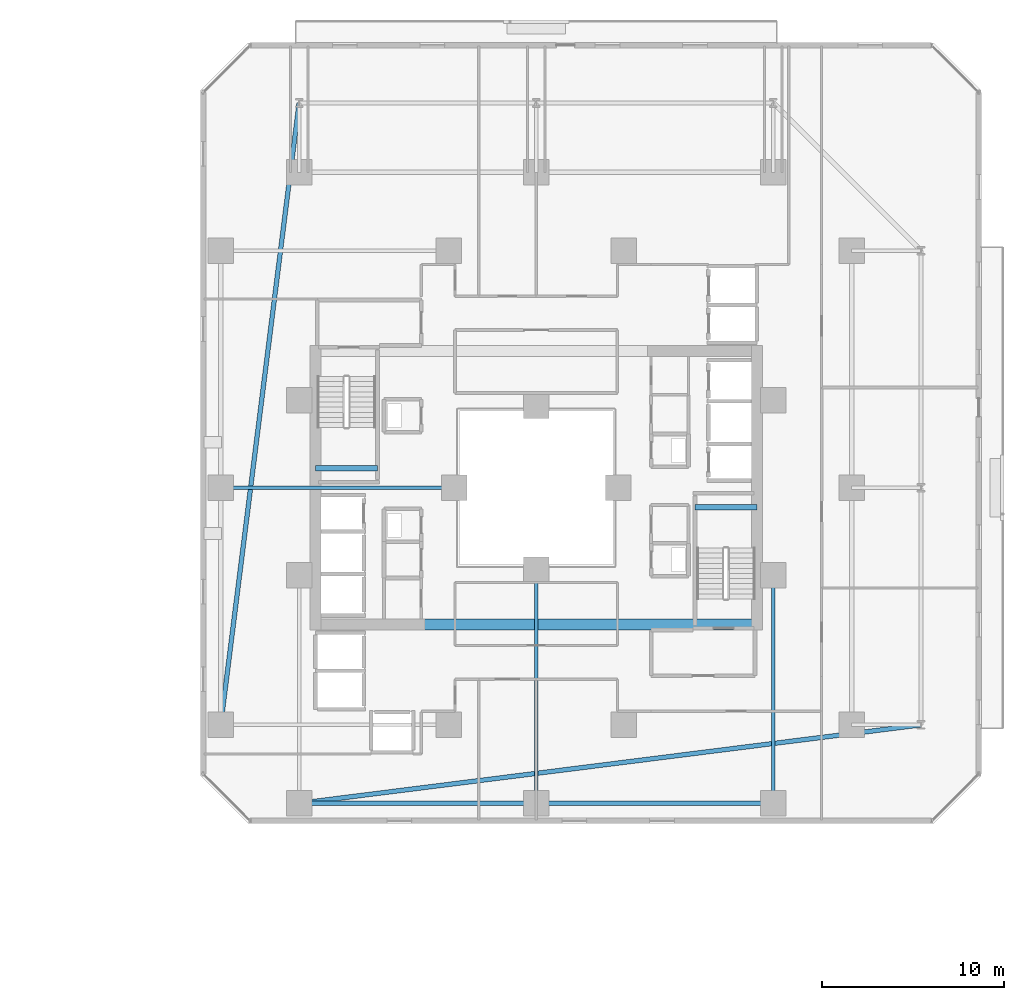
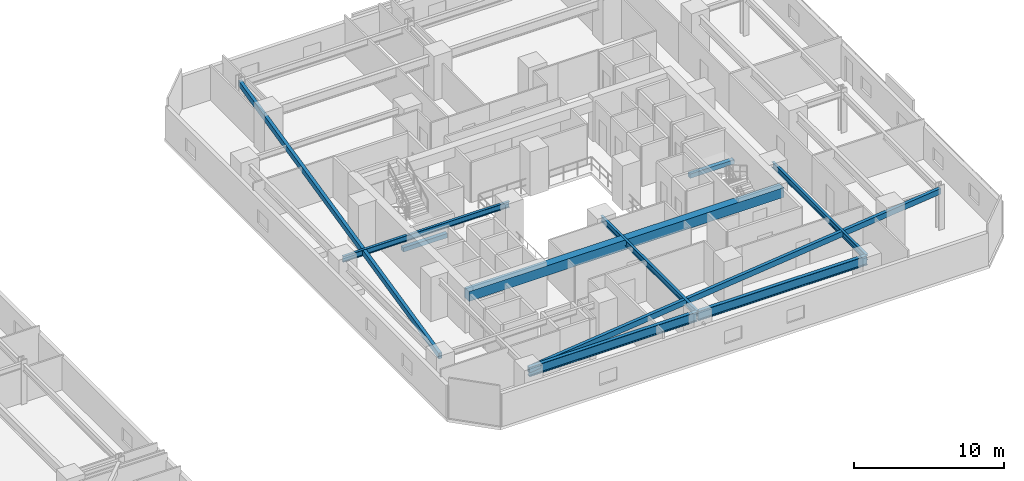
# One storey, part 14 of 36: 10 beams.
"""IFC4 building model written with IfcOpenShell, lengths in metres."""

from ifc_helpers import new_model, si_unit, direction, frame, origin, origin_2d, place, context, subcontext, project, spatial, rectangle, hollow_rectangle, i_section, extrude, material, material_profile, profile_set, type_object, element, save


model = new_model("IFC4")

# Units and contexts
model_context = context("Model", 3, precision=1e-05, world=origin(), true_north=direction((0.0, 1.0)))
body_context = subcontext(model_context, "Body", "Model", "MODEL_VIEW")
ifc_project = project(units=[si_unit("LENGTHUNIT", "METRE"), si_unit("AREAUNIT", "SQUARE_METRE"), si_unit("VOLUMEUNIT", "CUBIC_METRE"), si_unit("PLANEANGLEUNIT", "RADIAN"), si_unit("MASSUNIT", "GRAM", prefix="KILO")], contexts=[model_context])

# Site, building, storey
site_placement = place(None, origin())
site = spatial("IfcSite", under=ifc_project, at=site_placement, CompositionType="ELEMENT")
building_placement = place(site_placement, origin())
building = spatial("IfcBuilding", under=site, at=building_placement, Name="Thornwick Lancets Civic Towers", CompositionType="ELEMENT")
storey_placement = place(building_placement, frame((0.0, 0.0, 68.10009765625)))
storey = spatial("IfcBuildingStorey", under=building, at=storey_placement, Name="L17", CompositionType="ELEMENT", Elevation=68.10009765625)

# Beams
ifc_material_1 = material(Name="Concrete C60/75", Category="concrete")
ifc_material_profile_1 = material_profile(ifc_material_1, rectangle(XDim=0.60009765625, YDim=0.800048828125, at=origin_2d()), Name="RC 600x800")
ifc_profile_set_1 = profile_set([ifc_material_profile_1], Name="Concrete C60/75")
beam_type_1 = type_object("IfcBeamType", Name="BM_COUP_RC800", PredefinedType="BEAM", material=ifc_profile_set_1)
beam_1_placement = place(storey_placement, frame((76.39990234375, 19.5, 2.8798828125), z_axis=(1.0, 0.0, 0.0), x_axis=(0.0, 1.0, 0.0)))
element("IfcBeam", 1, at=beam_1_placement, inside=storey, type_object=beam_type_1, Name="CB-L17-B2", PredefinedType="BEAM", context=body_context, shape_type="SweptSolid", body=[
    extrude(rectangle(XDim=0.60009765625, YDim=0.800048828125, at=origin_2d()), origin(), (0.0, 0.0, 1.0), 24.2001953125),
])
ifc_material_2 = material(Name="Steel S355JR", Category="steel")
ifc_material_profile_2 = material_profile(ifc_material_2, i_section(OverallWidth=0.26806640625, OverallDepth=0.769775390625, WebThickness=0.015625, FlangeThickness=0.025390625, FilletRadius=0.0166015625, at=origin_2d()), Name="UKB 762x267x197")
ifc_profile_set_2 = profile_set([ifc_material_profile_2], Name="Steel S355JR")
beam_type_2 = type_object("IfcBeamType", Name="BM_GIRD_762_197", PredefinedType="BEAM", material=ifc_profile_set_2)
beam_2_placement = place(storey_placement, frame((101.5, 9.699951171875, 2.89501953125), z_axis=(-1.0, 0.0, 0.0), x_axis=(0.0, -1.0, 0.0)))
element("IfcBeam", 2, at=beam_2_placement, inside=storey, type_object=beam_type_2, Name="BM-SPINE-L17-B-9-10", PredefinedType="BEAM", context=body_context, shape_type="SweptSolid", body=[
    extrude(i_section(OverallWidth=0.26806640625, OverallDepth=0.769775390625, WebThickness=0.015625, FlangeThickness=0.025390625, FilletRadius=0.0166015625, at=origin_2d()), origin(), (0.0, 0.0, 1.0), 13.0),
])
beam_3_placement = place(storey_placement, frame((88.419921875, 9.699951171875, 2.89501953125), z_axis=(-1.0, 0.0, 0.0), x_axis=(0.0, -1.0, 0.0)))
element("IfcBeam", 3, at=beam_3_placement, inside=storey, type_object=beam_type_2, Name="BM-SPINE-L17-B-10-11", PredefinedType="BEAM", context=body_context, shape_type="SweptSolid", body=[
    extrude(i_section(OverallWidth=0.26806640625, OverallDepth=0.769775390625, WebThickness=0.015625, FlangeThickness=0.025390625, FilletRadius=0.0166015625, at=origin_2d()), origin(), (0.0, 0.0, 1.0), 12.919921875),
])
ifc_material_profile_3 = material_profile(ifc_material_2, i_section(OverallWidth=0.19287109375, OverallDepth=0.46728515625, WebThickness=0.011474609375, FlangeThickness=0.01953125, FilletRadius=0.01025390625, at=origin_2d()), Name="UKB 457x191x98")
ifc_profile_set_3 = profile_set([ifc_material_profile_3], Name="Steel S355JR")
beam_type_3 = type_object("IfcBeamType", Name="BM_JOIST_457_98", PredefinedType="JOIST", material=ifc_profile_set_3)
beam_4_placement = place(storey_placement, frame((84.0, 27.0, 3.04638671875), z_axis=(-1.0, 0.0, 0.0), x_axis=(0.0, -1.0, 0.0)))
element("IfcBeam", 4, at=beam_4_placement, inside=storey, type_object=beam_type_3, Name="BM-RADIN-L17-B08", PredefinedType="JOIST", context=body_context, shape_type="SweptSolid", body=[
    extrude(i_section(OverallWidth=0.19287109375, OverallDepth=0.46728515625, WebThickness=0.011474609375, FlangeThickness=0.01953125, FilletRadius=0.01025390625, at=origin_2d()), origin(), (0.0, 0.0, 1.0), 12.800048828125),
])
beam_5_placement = place(storey_placement, frame((101.5, 22.199951171875, 3.04638671875), z_axis=(0.0, -1.0, 0.0), x_axis=(1.0, 0.0, 0.0)))
element("IfcBeam", 5, at=beam_5_placement, inside=storey, type_object=beam_type_3, Name="BM-RADIN-L17-B10", PredefinedType="JOIST", context=body_context, shape_type="SweptSolid", body=[
    extrude(i_section(OverallWidth=0.19287109375, OverallDepth=0.46728515625, WebThickness=0.011474609375, FlangeThickness=0.01953125, FilletRadius=0.01025390625, at=origin_2d()), origin(), (0.0, 0.0, 1.0), 12.5),
])
beam_6_placement = place(storey_placement, frame((88.5, 22.5, 3.04638671875), z_axis=(0.0, -1.0, 0.0), x_axis=(1.0, 0.0, 0.0)))
element("IfcBeam", 6, at=beam_6_placement, inside=storey, type_object=beam_type_3, Name="BM-RADIN-L17-B11", PredefinedType="JOIST", context=body_context, shape_type="SweptSolid", body=[
    extrude(i_section(OverallWidth=0.19287109375, OverallDepth=0.46728515625, WebThickness=0.011474609375, FlangeThickness=0.01953125, FilletRadius=0.01025390625, at=origin_2d()), origin(), (0.0, 0.0, 1.0), 12.800048828125),
])
ifc_material_profile_4 = material_profile(ifc_material_2, hollow_rectangle(XDim=0.25, YDim=0.449951171875, WallThickness=0.01611328125, at=origin_2d()), Name="RHS 450x250x16")
ifc_profile_set_4 = profile_set([ifc_material_profile_4], Name="Steel S355JR")
beam_type_4 = type_object("IfcBeamType", Name="BM_RING_RHS450", PredefinedType="BEAM", material=ifc_profile_set_4)
for number, where, z_axis, x_axis, name in (
    (7, (75.5, 48.10009765625, 3.054931640625), (-0.12510998836, -0.992142878225, 0.0), (0.992142878225, -0.12510998836, 0.0), "BM-CHAMF-L17-B-C1"),
    (8, (75.5, 9.699951171875, 3.054931640625), (0.992142878225, 0.12510998836, 0.0), (-0.12510998836, 0.992142878225, 0.0), "BM-CHAMF-L17-B-C3"),
):
    element("IfcBeam", number, at=place(storey_placement, frame(where, z_axis=z_axis, x_axis=x_axis)), inside=storey, type_object=beam_type_4, Name=name, PredefinedType="BEAM", context=body_context, shape_type="SweptSolid", body=[
        extrude(hollow_rectangle(XDim=0.25, YDim=0.449951171875, WallThickness=0.01611328125, at=origin_2d()), origin(), (0.0, 0.0, 1.0), 34.3701171875),
    ])
ifc_material_3 = material(Name="Concrete C40/50", Category="concrete")
ifc_material_profile_5 = material_profile(ifc_material_3, rectangle(XDim=0.300048828125, YDim=0.35009765625, at=origin_2d()), Name="RC 300x350")
ifc_profile_set_5 = profile_set([ifc_material_profile_5], Name="Concrete C40/50")
beam_type_5 = type_object("IfcBeamType", Name="BM_STAIR_LDG", PredefinedType="BEAM", material=ifc_profile_set_5)
for number, where, z_axis, x_axis, name in (
    (9, (100.60009765625, 25.93505859375, 1.3779296875), (-1.0, 0.0, 0.0), (0.0, -1.0, 0.0), "L17 ST-B1 Landing Support Beam 1"),
    (10, (76.39990234375, 28.06494140625, 1.3779296875), (1.0, 0.0, 0.0), (0.0, 1.0, 0.0), "L17 ST-B2 Landing Support Beam 1"),
):
    element("IfcBeam", number, at=place(storey_placement, frame(where, z_axis=z_axis, x_axis=x_axis)), inside=storey, type_object=beam_type_5, Name=name, PredefinedType="BEAM", context=body_context, shape_type="SweptSolid", body=[
        extrude(rectangle(XDim=0.300048828125, YDim=0.35009765625, at=origin_2d()), origin(), (0.0, 0.0, 1.0), 3.400146484375),
    ])

save(model, "model.ifc")
